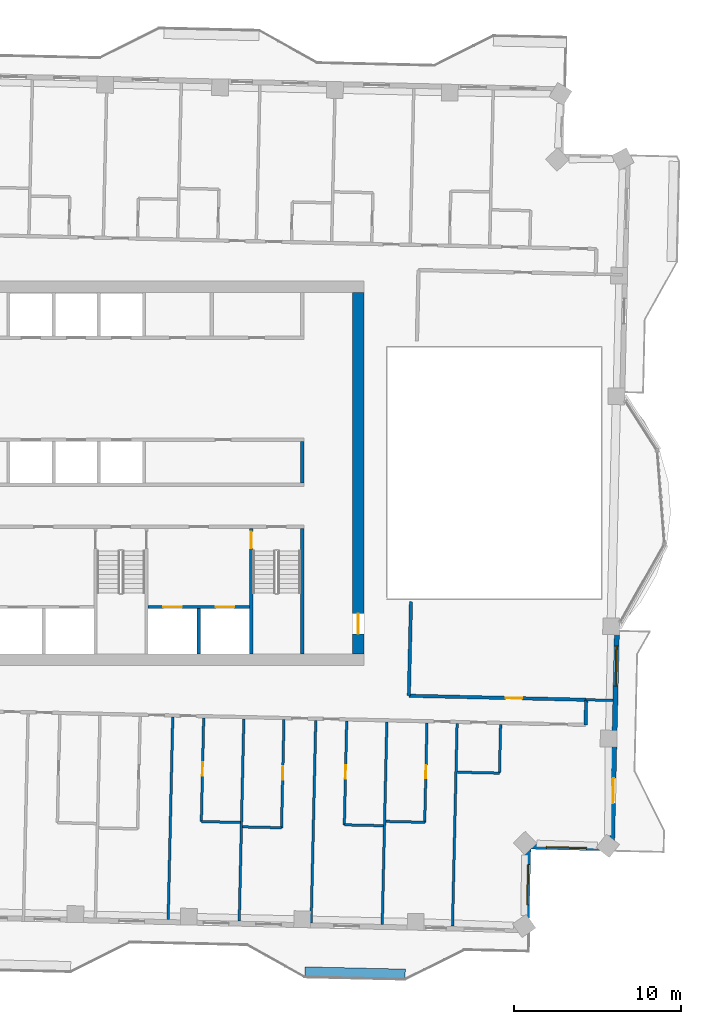
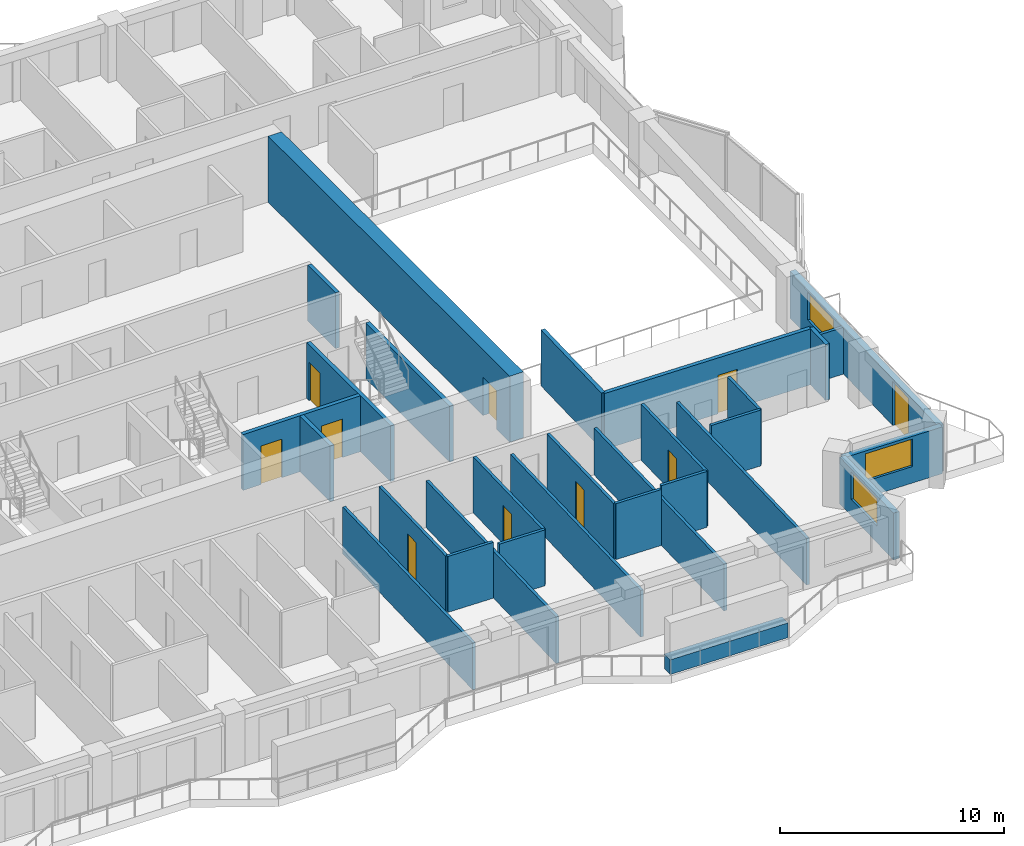
# One storey, part 9 of 17: 29 walls, 10 doors, 3 windows, 13 openings.
"""IFC4 building model written with IfcOpenShell, lengths in metres."""

from ifc_helpers import new_model, si_unit, direction, frame, frame_2d, origin, place, context, subcontext, project, spatial, rectangle, extrude, material, layer, layer_set, type_object, element, fill, save


model = new_model("IFC4")

# Units and contexts
model_context = context("Model", 3, precision=1e-05, world=origin(), true_north=direction((0.0, 1.0)))
body_context = subcontext(model_context, "Body", "Model", "MODEL_VIEW")
ifc_project = project(units=[si_unit("LENGTHUNIT", "METRE"), si_unit("AREAUNIT", "SQUARE_METRE"), si_unit("VOLUMEUNIT", "CUBIC_METRE"), si_unit("PLANEANGLEUNIT", "RADIAN"), si_unit("MASSUNIT", "GRAM", prefix="KILO")], contexts=[model_context])

# Site, building, storey
site_placement = place(None, origin())
site = spatial("IfcSite", under=ifc_project, at=site_placement, CompositionType="ELEMENT")
building_placement = place(site_placement, origin())
building = spatial("IfcBuilding", under=site, at=building_placement, Name="Mangrove Gate Tower", CompositionType="ELEMENT")
storey_placement = place(building_placement, frame((0.0, 0.0, 264.5)))
storey = spatial("IfcBuildingStorey", under=building, at=storey_placement, Name="L67", CompositionType="ELEMENT", Elevation=264.5)

# Wall
ifc_material_1 = material(Name="Concrete C32/40", Category="concrete")
ifc_layer_1 = layer(ifc_material_1, 0.199951171875)
ifc_layer_set_1 = layer_set([ifc_layer_1], Name="Core room wall 200 C32/40")
wall_type_1 = type_object("IfcWallType", Name="Core room wall 200 C32/40", PredefinedType="STANDARD", material=ifc_layer_set_1)
wall_1_placement = place(storey_placement, frame((10.800048828125, -0.60009765625, 0.0), z_axis=(0.0, 0.0, 1.0), x_axis=(0.0, 1.0, 0.0)))
element("IfcWall", 1, at=wall_1_placement, inside=storey, type_object=wall_type_1, Name="WALL-L67-CORE-24", PredefinedType="STANDARD", context=body_context, shape_type="SweptSolid", body=[
    extrude(rectangle(XDim=2.5, YDim=0.199951171875, at=frame_2d((1.25, 0.0))), origin(), (0.0, 0.0, 1.0), 3.050048828125),
])

# Wall, openings, doors
ifc_material_2 = material(Name="Concrete C60/75", Category="concrete")
ifc_layer_2 = layer(ifc_material_2, 0.199951171875)
ifc_layer_set_2 = layer_set([ifc_layer_2], Name="Core shaft wall 200 C60/75")
wall_type_2 = type_object("IfcWallType", Name="Core shaft wall 200 C60/75", PredefinedType="SHEAR", material=ifc_layer_set_2)
wall_2_placement = place(storey_placement, frame((1.60009765625, -8.0, 0.0), z_axis=(0.0, 0.0, 1.0), x_axis=(1.0, 0.0, 0.0)))
wall_2 = element("IfcWall", 2, at=wall_2_placement, inside=storey, type_object=wall_type_2, Name="WALL-L67-CORE-17", PredefinedType="SHEAR", context=body_context, shape_type="SweptSolid", body=[
    extrude(rectangle(XDim=6.0498046875, YDim=0.199951171875, at=frame_2d((3.02490234375, 0.0))), origin(), (0.0, 0.0, 1.0), 3.050048828125),
])
opening_1_placement = place(wall_2_placement, frame((0.91259765625, 0.0, 0.0)))
opening_1 = element("IfcOpeningElement", 3, at=opening_1_placement, cuts=wall_2, Name="Opening LD", PredefinedType="OPENING", context=body_context, shape_type="SweptSolid", body=[
    extrude(rectangle(XDim=1.10009765625, YDim=2.10009765625, at=frame_2d((0.550048828125, 1.050048828125))), frame((0.0, 0.10986328125, 0.0), z_axis=(0.0, -1.0, 0.0), x_axis=(1.0, 0.0, 0.0)), (0.0, 0.0, 1.0), 0.219970703125),
])
opening_2_placement = place(wall_2_placement, frame((4.03759765625, 0.0, 0.0)))
opening_2 = element("IfcOpeningElement", 4, at=opening_2_placement, cuts=wall_2, Name="Opening LD", PredefinedType="OPENING", context=body_context, shape_type="SweptSolid", body=[
    extrude(rectangle(XDim=1.10009765625, YDim=2.10009765625, at=frame_2d((0.550048828125, 1.050048828125))), frame((0.0, 0.10986328125, 0.0), z_axis=(0.0, -1.0, 0.0), x_axis=(1.0, 0.0, 0.0)), (0.0, 0.0, 1.0), 0.219970703125),
])
ifc_material_3 = material(Name="Stainless steel 316", Category="steel")
door_type_1 = type_object("IfcDoorType", Name="Lift landing door 1100x2100", OperationType="SLIDING_TO_LEFT", PredefinedType="DOOR", material=ifc_material_3)
door_1_placement = place(opening_1_placement, origin())
door_1 = element("IfcDoor", 5, at=door_1_placement, inside=storey, type_object=door_type_1, Name="Landing door LD FFL1", OperationType="SLIDING_TO_LEFT", OverallHeight=2.10009765625, OverallWidth=1.10009765625, PredefinedType="DOOR", context=body_context, shape_type="SweptSolid", body=[
    extrude(rectangle(XDim=1.10009765625, YDim=2.10009765625, at=frame_2d((0.550048828125, 1.050048828125))), frame((0.0, 0.02490234375, 0.0), z_axis=(0.0, -1.0, 0.0), x_axis=(1.0, 0.0, 0.0)), (0.0, 0.0, 1.0), 0.050048828125),
])
fill(opening_1, door_1)
door_2_placement = place(opening_2_placement, origin())
door_2 = element("IfcDoor", 6, at=door_2_placement, inside=storey, type_object=door_type_1, Name="Landing door LD FFL2", OperationType="SLIDING_TO_LEFT", OverallHeight=2.10009765625, OverallWidth=1.10009765625, PredefinedType="DOOR", context=body_context, shape_type="SweptSolid", body=[
    extrude(rectangle(XDim=1.10009765625, YDim=2.10009765625, at=frame_2d((0.550048828125, 1.050048828125))), frame((0.0, 0.02490234375, 0.0), z_axis=(0.0, -1.0, 0.0), x_axis=(1.0, 0.0, 0.0)), (0.0, 0.0, 1.0), 0.050048828125),
])
fill(opening_2, door_2)

# Wall
wall_3_placement = place(storey_placement, frame((4.625, -10.800048828125, 0.0), z_axis=(0.0, 0.0, 1.0), x_axis=(0.0, 1.0, 0.0)))
element("IfcWall", 7, at=wall_3_placement, inside=storey, type_object=wall_type_2, Name="WALL-L67-CORE-18", PredefinedType="SHEAR", context=body_context, shape_type="SweptSolid", body=[
    extrude(rectangle(XDim=2.699951171875, YDim=0.199951171875, at=frame_2d((1.35009765625, 0.0))), origin(), (0.0, 0.0, 1.0), 3.050048828125),
])

# Wall, opening, door
ifc_material_4 = material(Name="Concrete C60/75", Category="concrete")
ifc_layer_3 = layer(ifc_material_4, 0.199951171875)
ifc_layer_set_3 = layer_set([ifc_layer_3], Name="Core stair wall 200 C60/75")
wall_type_3 = type_object("IfcWallType", Name="Core stair wall 200 C60/75", PredefinedType="SHEAR", material=ifc_layer_set_3)
wall_4_placement = place(storey_placement, frame((7.75, -10.800048828125, 0.0), z_axis=(0.0, 0.0, 1.0), x_axis=(0.0, 1.0, 0.0)))
wall_4 = element("IfcWall", 8, at=wall_4_placement, inside=storey, type_object=wall_type_3, Name="WALL-L67-CORE-13", PredefinedType="SHEAR", context=body_context, shape_type="SweptSolid", body=[
    extrude(rectangle(XDim=7.5, YDim=0.199951171875, at=frame_2d((3.75, 0.0))), origin(), (0.0, 0.0, 1.0), 3.050048828125),
])
opening_3_placement = place(wall_4_placement, frame((6.300048828125, 0.0, 0.0)))
opening_3 = element("IfcOpeningElement", 9, at=opening_3_placement, cuts=wall_4, Name="Opening STD10", PredefinedType="OPENING", context=body_context, shape_type="SweptSolid", body=[
    extrude(rectangle(XDim=1.0, YDim=2.10009765625, at=frame_2d((0.5, 1.050048828125))), frame((0.0, 0.10986328125, 0.0), z_axis=(0.0, -1.0, 0.0), x_axis=(1.0, 0.0, 0.0)), (0.0, 0.0, 1.0), 0.219970703125),
])
ifc_material_5 = material(Name="Fire-rated steel door set", Category="steel")
door_type_2 = type_object("IfcDoorType", Name="Stair door FD60 1000x2100", OperationType="SINGLE_SWING_RIGHT", PredefinedType="DOOR", material=ifc_material_5)
door_3_placement = place(opening_3_placement, origin())
door_3 = element("IfcDoor", 10, at=door_3_placement, inside=storey, type_object=door_type_2, Name="Stair door Stair 3 from fire-fighting lobby", OperationType="SINGLE_SWING_RIGHT", OverallHeight=2.10009765625, OverallWidth=1.0, PredefinedType="DOOR", context=body_context, shape_type="SweptSolid", body=[
    extrude(rectangle(XDim=1.0, YDim=2.10009765625, at=frame_2d((0.5, 1.050048828125))), frame((0.0, 0.02490234375, 0.0), z_axis=(0.0, -1.0, 0.0), x_axis=(1.0, 0.0, 0.0)), (0.0, 0.0, 1.0), 0.050048828125),
])
fill(opening_3, door_3)

# Wall
wall_5_placement = place(storey_placement, frame((10.800048828125, -10.800048828125, 0.0), z_axis=(0.0, 0.0, 1.0), x_axis=(0.0, 1.0, 0.0)))
element("IfcWall", 11, at=wall_5_placement, inside=storey, type_object=wall_type_3, Name="WALL-L67-CORE-14", PredefinedType="SHEAR", context=body_context, shape_type="SweptSolid", body=[
    extrude(rectangle(XDim=7.5, YDim=0.199951171875, at=frame_2d((3.75, 0.0))), origin(), (0.0, 0.0, 1.0), 3.050048828125),
])

# Wall, opening, door
ifc_material_6 = material(Name="Concrete C60/75", Category="concrete")
ifc_layer_4 = layer(ifc_material_6, 0.699951171875)
ifc_layer_set_4 = layer_set([ifc_layer_4], Name="Core wall 700 C60/75")
wall_type_4 = type_object("IfcWallType", Name="Core wall 700 C60/75", PredefinedType="SHEAR", material=ifc_layer_set_4)
wall_6_placement = place(storey_placement, frame((14.14990234375, -10.800048828125, 0.0), z_axis=(0.0, 0.0, 1.0), x_axis=(0.0, 1.0, 0.0)))
wall_6 = element("IfcWall", 12, at=wall_6_placement, inside=storey, type_object=wall_type_4, Name="WALL-L67-CORE-4", PredefinedType="SHEAR", context=body_context, shape_type="SweptSolid", body=[
    extrude(rectangle(XDim=21.60009765625, YDim=0.699951171875, at=frame_2d((10.800048828125, 0.0))), origin(), (0.0, 0.0, 1.0), 3.60009765625),
])
opening_4_placement = place(wall_6_placement, frame((1.199951171875, 0.0, 0.0)))
opening_4 = element("IfcOpeningElement", 13, at=opening_4_placement, cuts=wall_6, Name="Opening CD", PredefinedType="OPENING", context=body_context, shape_type="SweptSolid", body=[
    extrude(rectangle(XDim=1.199951171875, YDim=2.10009765625, at=frame_2d((0.60009765625, 1.050048828125))), frame((0.0, 0.35986328125, 0.0), z_axis=(0.0, -1.0, 0.0), x_axis=(1.0, 0.0, 0.0)), (0.0, 0.0, 1.0), 0.719970703125),
])
ifc_material_7 = material(Name="Fire-rated steel door set", Category="steel")
door_type_3 = type_object("IfcDoorType", Name="Core ring door FD60 1200x2100", OperationType="DOUBLE_DOOR_SINGLE_SWING", PredefinedType="DOOR", material=ifc_material_7)
door_4_placement = place(opening_4_placement, origin())
door_4 = element("IfcDoor", 14, at=door_4_placement, inside=storey, type_object=door_type_3, Name="Core ring door E1", OperationType="DOUBLE_DOOR_SINGLE_SWING", OverallHeight=2.10009765625, OverallWidth=1.199951171875, PredefinedType="DOOR", context=body_context, shape_type="SweptSolid", body=[
    extrude(rectangle(XDim=1.199951171875, YDim=2.10009765625, at=frame_2d((0.60009765625, 1.050048828125))), frame((0.0, 0.02490234375, 0.0), z_axis=(0.0, -1.0, 0.0), x_axis=(1.0, 0.0, 0.0)), (0.0, 0.0, 1.0), 0.050048828125),
])
fill(opening_4, door_4)

# Wall
ifc_material_8 = material(Name="Gypsum board on steel stud, EI 60", Category="steel")
ifc_layer_5 = layer(ifc_material_8, 0.199951171875)
ifc_layer_set_5 = layer_set([ifc_layer_5], Name="Corridor wall EI 60")
wall_type_5 = type_object("IfcWallType", Name="Corridor wall EI 60", PredefinedType="PARTITIONING", material=ifc_layer_set_5)
wall_7_placement = place(storey_placement, frame((27.742919921875, -15.047119140625, 0.0), z_axis=(0.0, 0.0, 1.0), x_axis=(0.022780545013, 0.999740489712, 0.0)))
element("IfcWall", 15, at=wall_7_placement, inside=storey, type_object=wall_type_5, Name="WALL-L67-034", PredefinedType="PARTITIONING", context=body_context, shape_type="SweptSolid", body=[
    extrude(rectangle(XDim=1.50048828125, YDim=0.199951171875, at=frame_2d((0.750244140625, 0.0))), origin(), (0.0, 0.0, 1.0), 3.050048828125),
])

# Wall, opening, door
wall_8_placement = place(storey_placement, frame((17.176025390625, -13.305908203125, 0.0), z_axis=(0.0, 0.0, 1.0), x_axis=(0.999741038234, -0.022756459988, 0.0)))
wall_8 = element("IfcWall", 16, at=wall_8_placement, inside=storey, type_object=wall_type_5, Name="WALL-L67-038", PredefinedType="PARTITIONING", context=body_context, shape_type="SweptSolid", body=[
    extrude(rectangle(XDim=10.599609375, YDim=0.199951171875, at=frame_2d((5.2998046875, 0.0))), origin(), (0.0, 0.0, 1.0), 3.050048828125),
])
opening_5_placement = place(wall_8_placement, frame((5.782958984375, 0.0, 0.0)))
opening_5 = element("IfcOpeningElement", 17, at=opening_5_placement, cuts=wall_8, Name="Opening AD", PredefinedType="OPENING", context=body_context, shape_type="SweptSolid", body=[
    extrude(rectangle(XDim=1.0, YDim=2.10009765625, at=frame_2d((0.5, 1.050048828125))), frame((0.0, 0.10986328125, 0.0), z_axis=(0.0, -1.0, 0.0), x_axis=(1.0, 0.0, 0.0)), (0.0, 0.0, 1.0), 0.219970703125),
])
ifc_material_9 = material(Name="Timber door leaf", Category="wood")
door_type_4 = type_object("IfcDoorType", Name="Amenity door 1000", OperationType="SINGLE_SWING_LEFT", PredefinedType="DOOR", material=ifc_material_9)
door_5_placement = place(opening_5_placement, origin())
door_5 = element("IfcDoor", 18, at=door_5_placement, inside=storey, type_object=door_type_4, Name="DOOR-L67-LNG-c3a", OperationType="SINGLE_SWING_LEFT", OverallHeight=2.10009765625, OverallWidth=1.0, PredefinedType="DOOR", context=body_context, shape_type="SweptSolid", body=[
    extrude(rectangle(XDim=1.0, YDim=2.10009765625, at=frame_2d((0.5, 1.050048828125))), frame((0.0, 0.02490234375, 0.0), z_axis=(0.0, -1.0, 0.0), x_axis=(1.0, 0.0, 0.0)), (0.0, 0.0, 1.0), 0.050048828125),
])
fill(opening_5, door_5)

# Wall
wall_9_placement = place(storey_placement, frame((17.179931640625, -13.305908203125, 0.0), z_axis=(0.0, 0.0, 1.0), x_axis=(0.022584272568, 0.999744942789, 0.0)))
element("IfcWall", 19, at=wall_9_placement, inside=storey, type_object=wall_type_5, Name="WALL-L67-039", PredefinedType="PARTITIONING", context=body_context, shape_type="SweptSolid", body=[
    extrude(rectangle(XDim=5.621337890625, YDim=0.199951171875, at=frame_2d((2.810546875, 0.0))), origin(), (0.0, 0.0, 1.0), 3.050048828125),
])

# Wall, openings, door, window
ifc_material_10 = material(Name="Limestone", Category="masonry")
ifc_layer_6 = layer(ifc_material_10, 0.0400390625, Name="Limestone cladding")
ifc_material_11 = material(Name="Ventilated air gap")
ifc_layer_7 = layer(ifc_material_11, 0.0400390625, Name="Ventilated cavity")
ifc_material_12 = material(Name="Mineral wool insulation")
ifc_layer_8 = layer(ifc_material_12, 0.06005859375, Name="Insulation")
ifc_material_13 = material(Name="Breather membrane")
ifc_layer_9 = layer(ifc_material_13, 0.001953125, Name="Breather membrane")
ifc_material_14 = material(Name="Concrete C20/25 blockwork", Category="masonry")
ifc_layer_10 = layer(ifc_material_14, 0.14990234375, Name="Blockwork backing wall")
ifc_material_15 = material(Name="Gypsum plaster")
ifc_layer_11 = layer(ifc_material_15, 0.008056640625, Name="Internal plaster")
ifc_layer_set_6 = layer_set([ifc_layer_6, ifc_layer_7, ifc_layer_8, ifc_layer_9, ifc_layer_10, ifc_layer_11], Name="External wall 300 limestone cladding")
wall_type_6 = type_object("IfcWallType", Name="External wall 300 limestone cladding", PredefinedType="SOLIDWALL", material=ifc_layer_set_6)
wall_10_placement = place(storey_placement, frame((29.322021484375, -22.43408203125, 0.0), z_axis=(0.0, 0.0, 1.0), x_axis=(0.022651350875, 0.999743425236, 0.0)))
wall_10 = element("IfcWall", 20, at=wall_10_placement, inside=storey, type_object=wall_type_6, Name="WALL-L67-E0s1", PredefinedType="SOLIDWALL", context=body_context, shape_type="SweptSolid", body=[
    extrude(rectangle(XDim=13.7744140625, YDim=0.300048828125, at=frame_2d((6.88720703125, 0.0))), origin(), (0.0, 0.0, 1.0), 2.550048828125),
])
opening_6_placement = place(wall_10_placement, frame((2.705078125, 0.0, 0.0)))
opening_6 = element("IfcOpeningElement", 21, at=opening_6_placement, cuts=wall_10, Name="Opening BD1", PredefinedType="OPENING", context=body_context, shape_type="SweptSolid", body=[
    extrude(rectangle(XDim=1.5, YDim=2.39990234375, at=frame_2d((0.75, 1.199951171875))), frame((0.0, 0.159912109375, 0.0), z_axis=(0.0, -1.0, 0.0), x_axis=(1.0, 0.0, 0.0)), (0.0, 0.0, 1.0), 0.320068359375),
])
opening_7_placement = place(wall_10_placement, frame((9.712890625, 0.0, 0.89990234375)))
opening_7 = element("IfcOpeningElement", 22, at=opening_7_placement, cuts=wall_10, Name="Opening W2", PredefinedType="OPENING", context=body_context, shape_type="SweptSolid", body=[
    extrude(rectangle(XDim=2.39990234375, YDim=1.5, at=frame_2d((1.199951171875, 0.75))), frame((0.0, 0.159912109375, 0.0), z_axis=(0.0, -1.0, 0.0), x_axis=(1.0, 0.0, 0.0)), (0.0, 0.0, 1.0), 0.320068359375),
])
ifc_material_16 = material(Name="Aluminium frame with laminated clear glass", Category="aluminium")
door_type_5 = type_object("IfcDoorType", Name="Balcony sliding door 1500x2400", OperationType="SLIDING_TO_LEFT", PredefinedType="DOOR", material=ifc_material_16)
door_6_placement = place(opening_6_placement, origin())
door_6 = element("IfcDoor", 23, at=door_6_placement, inside=storey, type_object=door_type_5, Name="DOOR-L67-E0-1", OperationType="SLIDING_TO_LEFT", OverallHeight=2.39990234375, OverallWidth=1.5, PredefinedType="DOOR", context=body_context, shape_type="SweptSolid", body=[
    extrude(rectangle(XDim=1.5, YDim=2.39990234375, at=frame_2d((0.75, 1.199951171875))), frame((0.0, 0.02490234375, 0.0), z_axis=(0.0, -1.0, 0.0), x_axis=(1.0, 0.0, 0.0)), (0.0, 0.0, 1.0), 0.050048828125),
])
fill(opening_6, door_6)
ifc_material_17 = material(Name="Aluminium frame with double-glazed low-e glass", Category="aluminium")
window_type = type_object("IfcWindowType", Name="Corner room window 2400x1500", PartitioningType="DOUBLE_PANEL_VERTICAL", PredefinedType="WINDOW", material=ifc_material_17)
window_1_placement = place(opening_7_placement, origin())
window_1 = element("IfcWindow", 24, at=window_1_placement, inside=storey, type_object=window_type, Name="WIN-L67-E0-2", OverallHeight=1.5, OverallWidth=2.39990234375, PartitioningType="DOUBLE_PANEL_VERTICAL", PredefinedType="WINDOW", context=body_context, shape_type="SweptSolid", body=[
    extrude(rectangle(XDim=2.39990234375, YDim=1.5, at=frame_2d((1.199951171875, 0.75))), frame((0.0, 0.030029296875, 0.0), z_axis=(0.0, -1.0, 0.0), x_axis=(1.0, 0.0, 0.0)), (0.0, 0.0, 1.0), 0.06005859375),
])
fill(opening_7, window_1)

# Wall, opening, window
wall_11_placement = place(storey_placement, frame((24.208984375, -27.320068359375, 0.0), z_axis=(0.0, 0.0, 1.0), x_axis=(0.022801259434, 0.999740017489, 0.0)))
wall_11 = element("IfcWall", 25, at=wall_11_placement, inside=storey, type_object=wall_type_6, Name="WALL-L67-E14", PredefinedType="SOLIDWALL", context=body_context, shape_type="SweptSolid", body=[
    extrude(rectangle(XDim=5.000244140625, YDim=0.300048828125, at=frame_2d((2.5, 0.0))), origin(), (0.0, 0.0, 1.0), 2.550048828125),
])
opening_8_placement = place(wall_11_placement, frame((1.52392578125, 0.0, 0.89990234375)))
opening_8 = element("IfcOpeningElement", 26, at=opening_8_placement, cuts=wall_11, Name="Opening W2", PredefinedType="OPENING", context=body_context, shape_type="SweptSolid", body=[
    extrude(rectangle(XDim=2.39990234375, YDim=1.5, at=frame_2d((1.199951171875, 0.75))), frame((0.0, 0.159912109375, 0.0), z_axis=(0.0, -1.0, 0.0), x_axis=(1.0, 0.0, 0.0)), (0.0, 0.0, 1.0), 0.320068359375),
])
window_2_placement = place(opening_8_placement, origin())
window_2 = element("IfcWindow", 27, at=window_2_placement, inside=storey, type_object=window_type, Name="WIN-L67-E14-1", OverallHeight=1.5, OverallWidth=2.39990234375, PartitioningType="DOUBLE_PANEL_VERTICAL", PredefinedType="WINDOW", context=body_context, shape_type="SweptSolid", body=[
    extrude(rectangle(XDim=2.39990234375, YDim=1.5, at=frame_2d((1.199951171875, 0.75))), frame((0.0, 0.030029296875, 0.0), z_axis=(0.0, -1.0, 0.0), x_axis=(1.0, 0.0, 0.0)), (0.0, 0.0, 1.0), 0.06005859375),
])
fill(opening_8, window_2)

wall_12_placement = place(storey_placement, frame((24.322998046875, -22.321044921875, 0.0), z_axis=(0.0, 0.0, 1.0), x_axis=(0.999744450377, -0.022606059803, 0.0)))
wall_12 = element("IfcWall", 28, at=wall_12_placement, inside=storey, type_object=wall_type_6, Name="WALL-L67-S15", PredefinedType="SOLIDWALL", context=body_context, shape_type="SweptSolid", body=[
    extrude(rectangle(XDim=5.000244140625, YDim=0.300048828125, at=frame_2d((2.5, 0.0))), origin(), (0.0, 0.0, 1.0), 2.550048828125),
])
opening_9_placement = place(wall_12_placement, frame((1.075927734375, 0.0, 0.89990234375)))
opening_9 = element("IfcOpeningElement", 29, at=opening_9_placement, cuts=wall_12, Name="Opening W2", PredefinedType="OPENING", context=body_context, shape_type="SweptSolid", body=[
    extrude(rectangle(XDim=2.39990234375, YDim=1.5, at=frame_2d((1.199951171875, 0.75))), frame((0.0, 0.159912109375, 0.0), z_axis=(0.0, -1.0, 0.0), x_axis=(1.0, 0.0, 0.0)), (0.0, 0.0, 1.0), 0.320068359375),
])
window_3_placement = place(opening_9_placement, origin())
window_3 = element("IfcWindow", 30, at=window_3_placement, inside=storey, type_object=window_type, Name="WIN-L67-S15-1", OverallHeight=1.5, OverallWidth=2.39990234375, PartitioningType="DOUBLE_PANEL_VERTICAL", PredefinedType="WINDOW", context=body_context, shape_type="SweptSolid", body=[
    extrude(rectangle(XDim=2.39990234375, YDim=1.5, at=frame_2d((1.199951171875, 0.75))), frame((0.0, 0.030029296875, 0.0), z_axis=(0.0, -1.0, 0.0), x_axis=(1.0, 0.0, 0.0)), (0.0, 0.0, 1.0), 0.06005859375),
])
fill(opening_9, window_3)

# Walls
ifc_material_18 = material(Name="Gypsum board on steel stud, EI 60", Category="steel")
ifc_layer_12 = layer(ifc_material_18, 0.14990234375)
ifc_layer_set_7 = layer_set([ifc_layer_12], Name="Party wall 150 EI 60")
wall_type_7 = type_object("IfcWallType", Name="Party wall 150 EI 60", PredefinedType="PARTITIONING", material=ifc_layer_set_7)
wall_13_placement = place(storey_placement, frame((2.7919921875, -26.68408203125, 0.0), z_axis=(0.0, 0.0, 1.0), x_axis=(0.022718655443, 0.999741898039, 0.0)))
element("IfcWall", 31, at=wall_13_placement, inside=storey, type_object=wall_type_7, Name="WALL-L67-006", PredefinedType="PARTITIONING", context=body_context, shape_type="SweptSolid", body=[
    extrude(rectangle(XDim=12.100341796875, YDim=0.14990234375, at=frame_2d((6.05029296875, 0.0))), origin(), (0.0, 0.0, 1.0), 2.550048828125),
])
for number, where, z_axis, x_axis, name in (
    (32, (7.041015625, -26.780029296875, 0.0), (0.0, 0.0, 1.0), (0.022719113715, 0.999741887625, 0.0), "WALL-L67-007"),
    (33, (11.340087890625, -26.8779296875, 0.0), (0.0, 0.0, 1.0), (0.022719113715, 0.999741887625, 0.0), "WALL-L67-008"),
):
    element("IfcWall", number, at=place(storey_placement, frame(where, z_axis=z_axis, x_axis=x_axis)), inside=storey, type_object=wall_type_7, Name=name, PredefinedType="PARTITIONING", context=body_context, shape_type="SweptSolid", body=[
        extrude(rectangle(XDim=12.10009765625, YDim=0.14990234375, at=frame_2d((6.050048828125, 0.0))), origin(), (0.0, 0.0, 1.0), 2.550048828125),
    ])
wall_14_placement = place(storey_placement, frame((15.589111328125, -26.97412109375, 0.0), z_axis=(0.0, 0.0, 1.0), x_axis=(0.022718655443, 0.999741898039, 0.0)))
element("IfcWall", 34, at=wall_14_placement, inside=storey, type_object=wall_type_7, Name="WALL-L67-009", PredefinedType="PARTITIONING", context=body_context, shape_type="SweptSolid", body=[
    extrude(rectangle(XDim=12.100341796875, YDim=0.14990234375, at=frame_2d((6.05029296875, 0.0))), origin(), (0.0, 0.0, 1.0), 2.550048828125),
])
wall_15_placement = place(storey_placement, frame((19.7880859375, -27.070068359375, 0.0), z_axis=(0.0, 0.0, 1.0), x_axis=(0.022716822539, 0.999741939689, 0.0)))
element("IfcWall", 35, at=wall_15_placement, inside=storey, type_object=wall_type_7, Name="WALL-L67-010", PredefinedType="PARTITIONING", context=body_context, shape_type="SweptSolid", body=[
    extrude(rectangle(XDim=12.101318359375, YDim=0.14990234375, at=frame_2d((6.05078125, 0.0))), origin(), (0.0, 0.0, 1.0), 2.550048828125),
])
wall_16_placement = place(storey_placement, frame((7.248046875, -21.14306640625, 0.0), z_axis=(0.0, 0.0, 1.0), x_axis=(0.999740478815, -0.022781023197, 0.0)))
element("IfcWall", 36, at=wall_16_placement, inside=storey, type_object=wall_type_7, Name="WALL-L67-018", PredefinedType="PARTITIONING", context=body_context, shape_type="SweptSolid", body=[
    extrude(rectangle(XDim=2.325439453125, YDim=0.14990234375, at=frame_2d((1.16259765625, 0.0))), origin(), (0.0, 0.0, 1.0), 3.050048828125),
])

# Wall, opening, door
wall_17_placement = place(storey_placement, frame((9.569091796875, -21.196044921875, 0.0), z_axis=(0.0, 0.0, 1.0), x_axis=(0.022597796078, 0.999744637201, 0.0)))
wall_17 = element("IfcWall", 37, at=wall_17_placement, inside=storey, type_object=wall_type_7, Name="WALL-L67-019", PredefinedType="PARTITIONING", context=body_context, shape_type="SweptSolid", body=[
    extrude(rectangle(XDim=6.460693359375, YDim=0.14990234375, at=frame_2d((3.23046875, 0.0))), origin(), (0.0, 0.0, 1.0), 3.050048828125),
])
opening_10_placement = place(wall_17_placement, frame((2.8798828125, 0.0, 0.0)))
opening_10 = element("IfcOpeningElement", 38, at=opening_10_placement, cuts=wall_17, Name="Opening ED", PredefinedType="OPENING", context=body_context, shape_type="SweptSolid", body=[
    extrude(rectangle(XDim=0.800048828125, YDim=2.10009765625, at=frame_2d((0.39990234375, 1.050048828125))), frame((0.0, 0.0849609375, 0.0), z_axis=(0.0, -1.0, 0.0), x_axis=(1.0, 0.0, 0.0)), (0.0, 0.0, 1.0), 0.169921875),
])
ifc_material_19 = material(Name="Timber door leaf", Category="wood")
door_type_6 = type_object("IfcDoorType", Name="En-suite door 800", OperationType="SINGLE_SWING_LEFT", PredefinedType="DOOR", material=ifc_material_19)
door_7_placement = place(opening_10_placement, origin())
door_7 = element("IfcDoor", 39, at=door_7_placement, inside=storey, type_object=door_type_6, Name="DOOR-L67-ENS-c207", OperationType="SINGLE_SWING_LEFT", OverallHeight=2.10009765625, OverallWidth=0.800048828125, PredefinedType="DOOR", context=body_context, shape_type="SweptSolid", body=[
    extrude(rectangle(XDim=0.800048828125, YDim=2.10009765625, at=frame_2d((0.39990234375, 1.050048828125))), frame((0.0, 0.02490234375, 0.0), z_axis=(0.0, -1.0, 0.0), x_axis=(1.0, 0.0, 0.0)), (0.0, 0.0, 1.0), 0.050048828125),
])
fill(opening_10, door_7)

wall_18_placement = place(storey_placement, frame((4.77587890625, -20.826904296875, 0.0), z_axis=(0.0, 0.0, 1.0), x_axis=(0.022604220207, 0.999744491972, 0.0)))
wall_18 = element("IfcWall", 40, at=wall_18_placement, inside=storey, type_object=wall_type_7, Name="WALL-L67-020", PredefinedType="PARTITIONING", context=body_context, shape_type="SweptSolid", body=[
    extrude(rectangle(XDim=6.199462890625, YDim=0.14990234375, at=frame_2d((3.099609375, 0.0))), origin(), (0.0, 0.0, 1.0), 3.050048828125),
])
opening_11_placement = place(wall_18_placement, frame((2.75, 0.0, 0.0)))
opening_11 = element("IfcOpeningElement", 41, at=opening_11_placement, cuts=wall_18, Name="Opening ED", PredefinedType="OPENING", context=body_context, shape_type="SweptSolid", body=[
    extrude(rectangle(XDim=0.800048828125, YDim=2.10009765625, at=frame_2d((0.39990234375, 1.050048828125))), frame((0.0, 0.0849609375, 0.0), z_axis=(0.0, -1.0, 0.0), x_axis=(1.0, 0.0, 0.0)), (0.0, 0.0, 1.0), 0.169921875),
])
door_8_placement = place(opening_11_placement, origin())
door_8 = element("IfcDoor", 42, at=door_8_placement, inside=storey, type_object=door_type_6, Name="DOOR-L67-ENS-c206", OperationType="SINGLE_SWING_RIGHT", OverallHeight=2.10009765625, OverallWidth=0.800048828125, PredefinedType="DOOR", context=body_context, shape_type="SweptSolid", body=[
    extrude(rectangle(XDim=0.800048828125, YDim=2.10009765625, at=frame_2d((0.39990234375, 1.050048828125))), frame((0.0, 0.02490234375, 0.0), z_axis=(0.0, -1.0, 0.0), x_axis=(1.0, 0.0, 0.0)), (0.0, 0.0, 1.0), 0.050048828125),
])
fill(opening_11, door_8)

# Wall
wall_19_placement = place(storey_placement, frame((4.780029296875, -20.826904296875, 0.0), z_axis=(0.0, 0.0, 1.0), x_axis=(0.999740260747, -0.02279059109, 0.0)))
element("IfcWall", 43, at=wall_19_placement, inside=storey, type_object=wall_type_7, Name="WALL-L67-021", PredefinedType="PARTITIONING", context=body_context, shape_type="SweptSolid", body=[
    extrude(rectangle(XDim=2.324462890625, YDim=0.14990234375, at=frame_2d((1.162109375, 0.0))), origin(), (0.0, 0.0, 1.0), 3.050048828125),
])

# Wall, opening, door
wall_20_placement = place(storey_placement, frame((13.323974609375, -21.02099609375, 0.0), z_axis=(0.0, 0.0, 1.0), x_axis=(0.022604220207, 0.999744491972, 0.0)))
wall_20 = element("IfcWall", 44, at=wall_20_placement, inside=storey, type_object=wall_type_7, Name="WALL-L67-022", PredefinedType="PARTITIONING", context=body_context, shape_type="SweptSolid", body=[
    extrude(rectangle(XDim=6.199462890625, YDim=0.14990234375, at=frame_2d((3.099609375, 0.0))), origin(), (0.0, 0.0, 1.0), 3.050048828125),
])
opening_12_placement = place(wall_20_placement, frame((2.75, 0.0, 0.0)))
opening_12 = element("IfcOpeningElement", 45, at=opening_12_placement, cuts=wall_20, Name="Opening ED", PredefinedType="OPENING", context=body_context, shape_type="SweptSolid", body=[
    extrude(rectangle(XDim=0.800048828125, YDim=2.10009765625, at=frame_2d((0.39990234375, 1.050048828125))), frame((0.0, 0.0849609375, 0.0), z_axis=(0.0, -1.0, 0.0), x_axis=(1.0, 0.0, 0.0)), (0.0, 0.0, 1.0), 0.169921875),
])
door_9_placement = place(opening_12_placement, origin())
door_9 = element("IfcDoor", 46, at=door_9_placement, inside=storey, type_object=door_type_6, Name="DOOR-L67-ENS-c308", OperationType="SINGLE_SWING_RIGHT", OverallHeight=2.10009765625, OverallWidth=0.800048828125, PredefinedType="DOOR", context=body_context, shape_type="SweptSolid", body=[
    extrude(rectangle(XDim=0.800048828125, YDim=2.10009765625, at=frame_2d((0.39990234375, 1.050048828125))), frame((0.0, 0.02490234375, 0.0), z_axis=(0.0, -1.0, 0.0), x_axis=(1.0, 0.0, 0.0)), (0.0, 0.0, 1.0), 0.050048828125),
])
fill(opening_12, door_9)

# Walls
wall_21_placement = place(storey_placement, frame((13.327880859375, -21.02099609375, 0.0), z_axis=(0.0, 0.0, 1.0), x_axis=(0.99974031529, -0.022788198363, 0.0)))
element("IfcWall", 47, at=wall_21_placement, inside=storey, type_object=wall_type_7, Name="WALL-L67-023", PredefinedType="PARTITIONING", context=body_context, shape_type="SweptSolid", body=[
    extrude(rectangle(XDim=2.32470703125, YDim=0.14990234375, at=frame_2d((1.162353515625, 0.0))), origin(), (0.0, 0.0, 1.0), 3.050048828125),
])
wall_22_placement = place(storey_placement, frame((15.80810546875, -20.81689453125, 0.0), z_axis=(0.0, 0.0, 1.0), x_axis=(0.999737862264, -0.022895561926, 0.0)))
element("IfcWall", 48, at=wall_22_placement, inside=storey, type_object=wall_type_7, Name="WALL-L67-026", PredefinedType="PARTITIONING", context=body_context, shape_type="SweptSolid", body=[
    extrude(rectangle(XDim=2.324462890625, YDim=0.14990234375, at=frame_2d((1.162109375, 0.0))), origin(), (0.0, 0.0, 1.0), 3.050048828125),
])

# Wall, opening, door
wall_23_placement = place(storey_placement, frame((18.1279296875, -20.8701171875, 0.0), z_axis=(0.0, 0.0, 1.0), x_axis=(0.022726072939, 0.999741729453, 0.0)))
wall_23 = element("IfcWall", 49, at=wall_23_placement, inside=storey, type_object=wall_type_7, Name="WALL-L67-027", PredefinedType="PARTITIONING", context=body_context, shape_type="SweptSolid", body=[
    extrude(rectangle(XDim=5.940673828125, YDim=0.14990234375, at=frame_2d((2.97021484375, 0.0))), origin(), (0.0, 0.0, 1.0), 3.050048828125),
])
opening_13_placement = place(wall_23_placement, frame((2.6201171875, 0.0, 0.0)))
opening_13 = element("IfcOpeningElement", 50, at=opening_13_placement, cuts=wall_23, Name="Opening ED", PredefinedType="OPENING", context=body_context, shape_type="SweptSolid", body=[
    extrude(rectangle(XDim=0.800048828125, YDim=2.10009765625, at=frame_2d((0.39990234375, 1.050048828125))), frame((0.0, 0.0849609375, 0.0), z_axis=(0.0, -1.0, 0.0), x_axis=(1.0, 0.0, 0.0)), (0.0, 0.0, 1.0), 0.169921875),
])
door_10_placement = place(opening_13_placement, origin())
door_10 = element("IfcDoor", 51, at=door_10_placement, inside=storey, type_object=door_type_6, Name="DOOR-L67-ENS-c309", OperationType="SINGLE_SWING_LEFT", OverallHeight=2.10009765625, OverallWidth=0.800048828125, PredefinedType="DOOR", context=body_context, shape_type="SweptSolid", body=[
    extrude(rectangle(XDim=0.800048828125, YDim=2.10009765625, at=frame_2d((0.39990234375, 1.050048828125))), frame((0.0, 0.02490234375, 0.0), z_axis=(0.0, -1.0, 0.0), x_axis=(1.0, 0.0, 0.0)), (0.0, 0.0, 1.0), 0.050048828125),
])
fill(opening_13, door_10)

# Walls
wall_24_placement = place(storey_placement, frame((20.075927734375, -17.873046875, 0.0), z_axis=(0.0, 0.0, 1.0), x_axis=(0.99973737352, -0.022916893077, 0.0)))
element("IfcWall", 52, at=wall_24_placement, inside=storey, type_object=wall_type_7, Name="WALL-L67-028", PredefinedType="PARTITIONING", context=body_context, shape_type="SweptSolid", body=[
    extrude(rectangle(XDim=2.52490234375, YDim=0.14990234375, at=frame_2d((1.262451171875, 0.0))), origin(), (0.0, 0.0, 1.0), 3.050048828125),
])
wall_25_placement = place(storey_placement, frame((22.595947265625, -17.930908203125, 0.0), z_axis=(0.0, 0.0, 1.0), x_axis=(0.022809352981, 0.999739832865, 0.0)))
element("IfcWall", 53, at=wall_25_placement, inside=storey, type_object=wall_type_7, Name="WALL-L67-029", PredefinedType="PARTITIONING", context=body_context, shape_type="SweptSolid", body=[
    extrude(rectangle(XDim=2.900634765625, YDim=0.14990234375, at=frame_2d((1.4501953125, 0.0))), origin(), (0.0, 0.0, 1.0), 3.050048828125),
])
wall_26_placement = place(storey_placement, frame((27.77294921875, -13.547119140625, 0.0), z_axis=(0.0, 0.0, 1.0), x_axis=(0.999748563699, -0.022423411484, 0.0)))
element("IfcWall", 54, at=wall_26_placement, inside=storey, type_object=wall_type_7, Name="WALL-L67-040", PredefinedType="PARTITIONING", context=body_context, shape_type="SweptSolid", body=[
    extrude(rectangle(XDim=1.6005859375, YDim=0.14990234375, at=frame_2d((0.80029296875, 0.0))), origin(), (0.0, 0.0, 1.0), 2.550048828125),
])
ifc_material_20 = material(Name="Concrete C32/40", Category="concrete")
ifc_layer_13 = layer(ifc_material_20, 0.199951171875, Name="Planter trough wall")
ifc_material_21 = material(Name="Bituminous waterproofing membrane")
ifc_layer_14 = layer(ifc_material_21, 0.0048828125, Name="Waterproofing")
ifc_material_22 = material(Name="Drainage board and gravel")
ifc_layer_15 = layer(ifc_material_22, 0.044921875, Name="Drainage layer")
ifc_material_23 = material(Name="Planting soil")
ifc_layer_16 = layer(ifc_material_23, 0.300048828125, Name="Growing medium")
ifc_layer_set_8 = layer_set([ifc_layer_13, ifc_layer_14, ifc_layer_15, ifc_layer_16], Name="Planter wall 550 C32/40")
wall_type_8 = type_object("IfcWallType", Name="Planter wall 550 C32/40", PredefinedType="USERDEFINED", material=ifc_layer_set_8)
wall_27_placement = place(storey_placement, frame((10.964111328125, -29.784912109375, 0.0), z_axis=(0.0, 0.0, 1.0), x_axis=(0.999743073592, -0.022666865795, 0.0)))
element("IfcWall", 55, at=wall_27_placement, inside=storey, type_object=wall_type_8, Name="PLANTER L67 S1.1", ObjectType="PLANTER", PredefinedType="USERDEFINED", context=body_context, shape_type="SweptSolid", body=[
    extrude(rectangle(XDim=5.999267578125, YDim=0.550048828125, at=frame_2d((2.99951171875, 0.0))), origin(), (0.0, 0.0, 1.0), 0.800048828125),
])

save(model, "model.ifc")
